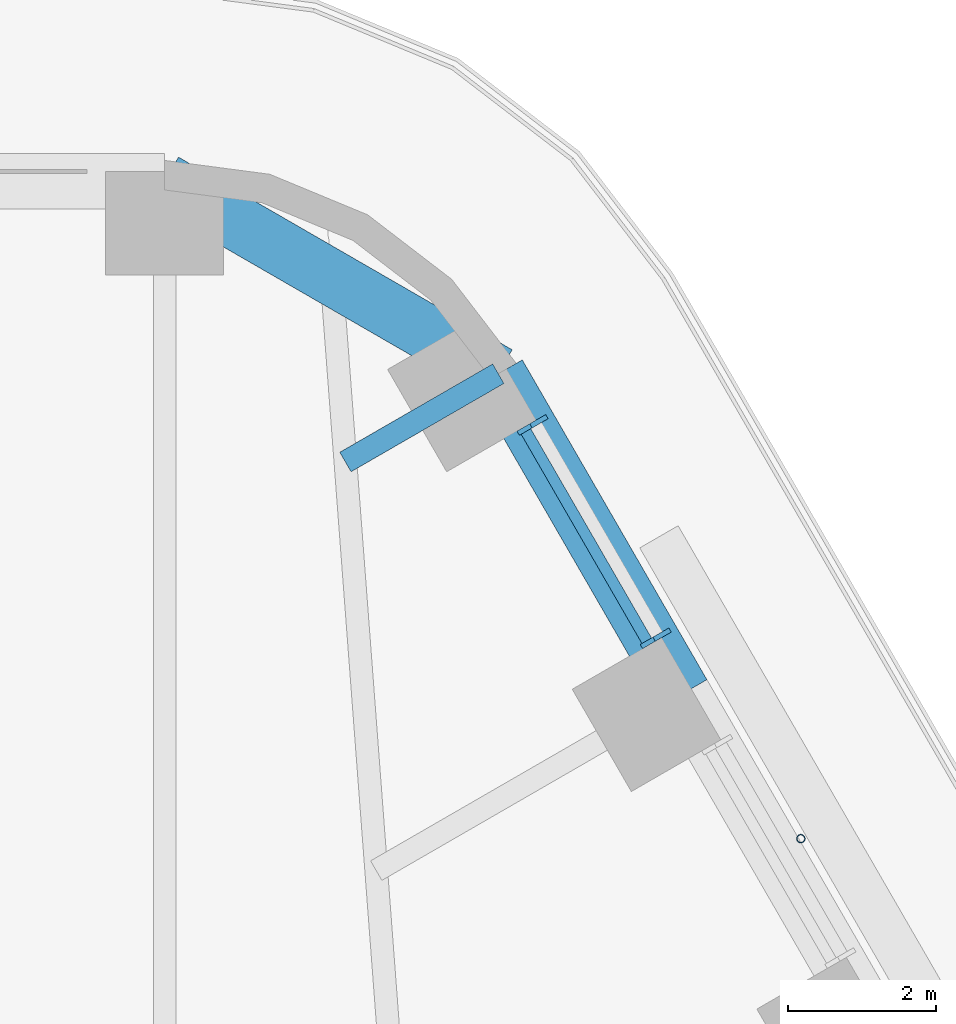
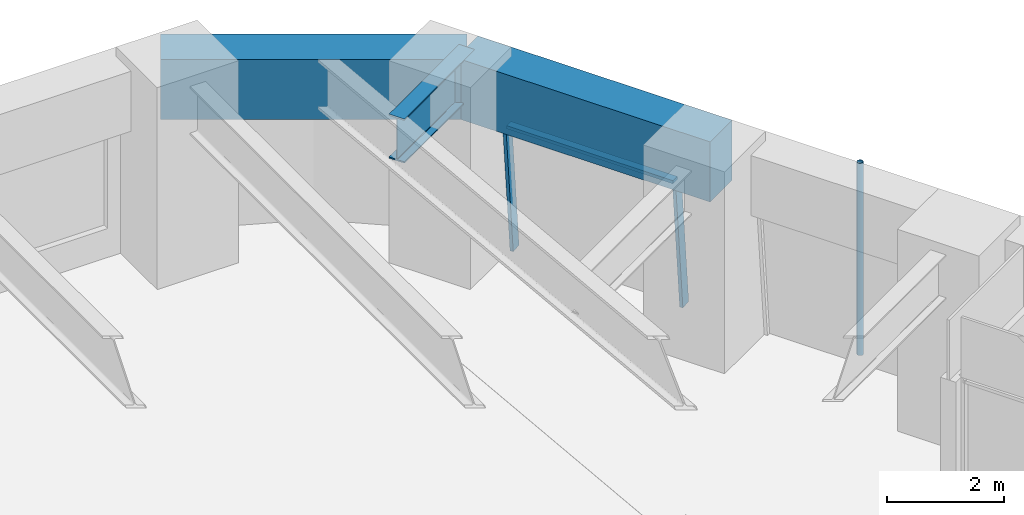
# One storey, part 13 of 24: 4 members, 3 beams, 1 element without a shape of its own.
"""IFC4 building model written with IfcOpenShell, lengths in metres."""

from ifc_helpers import new_model, si_unit, direction, frame, origin, origin_2d, place, context, subcontext, project, spatial, rectangle, hollow_circle, i_section, extrude, material, material_profile, profile_set, type_object, element, aggregate, save


model = new_model("IFC4")

# Units and contexts
model_context = context("Model", 3, precision=1e-05, world=origin(), true_north=direction((0.0, 1.0)))
body_context = subcontext(model_context, "Body", "Model", "MODEL_VIEW")
ifc_project = project(units=[si_unit("LENGTHUNIT", "METRE"), si_unit("AREAUNIT", "SQUARE_METRE"), si_unit("VOLUMEUNIT", "CUBIC_METRE"), si_unit("PLANEANGLEUNIT", "RADIAN"), si_unit("MASSUNIT", "GRAM", prefix="KILO")], contexts=[model_context])

# Site, building, storey
site_placement = place(None, origin())
site = spatial("IfcSite", under=ifc_project, at=site_placement, CompositionType="ELEMENT")
building_placement = place(site_placement, origin())
building = spatial("IfcBuilding", under=site, at=building_placement, Name="Tarfa Lantern Tower", CompositionType="ELEMENT")
storey_placement = place(building_placement, frame((0.0, 0.0, 165.699951171875)))
storey = spatial("IfcBuildingStorey", under=building, at=storey_placement, Name="L37", CompositionType="ELEMENT", Elevation=165.699951171875)

# Curtain wall, members
ifc_material_1 = material(Name="Aluminium framed curtain wall", Category="aluminium")
curtain_wall_type = type_object("IfcCurtainWallType", Name="CW2 CANTED GLAZING MID ZONE 2750", PredefinedType="USERDEFINED", material=ifc_material_1)
curtain_wall_placement = place(storey_placement, origin())
curtain_wall = element("IfcCurtainWall", 1, at=curtain_wall_placement, inside=storey, type_object=curtain_wall_type, Name="CW2 NEB L37", ObjectType="CURTAIN WALL", PredefinedType="USERDEFINED")
ifc_material_2 = material(Name="Aluminium mullion", Category="aluminium")
ifc_material_profile_1 = material_profile(ifc_material_2, rectangle(XDim=0.06494140625, YDim=0.199951171875, at=origin_2d()), Name="AL MULLION 65x200")
ifc_profile_set_1 = profile_set([ifc_material_profile_1], Name="Aluminium mullion")
member_type_1 = type_object("IfcMemberType", Name="CWM1 MULLION 65x200", PredefinedType="MULLION", material=ifc_profile_set_1)
member_1_placement = place(storey_placement, frame((21.773193359375, 25.087646484375, 0.0), z_axis=(-0.078422950161, -0.045267813396, 0.995891894715), x_axis=(0.499919672301, -0.866071776036, 0.0)))
member_1 = element("IfcMember", 2, at=member_1_placement, type_object=member_type_1, Name="CW2 mullion 1", PredefinedType="MULLION", context=body_context, shape_type="SweptSolid", body=[
    extrude(rectangle(XDim=0.06494140625, YDim=0.199951171875, at=origin_2d()), origin(), (0.0, 0.0, 1.0), 2.76123046875),
])
member_2_placement = place(storey_placement, frame((20.10400390625, 27.97900390625, 0.0), z_axis=(-0.078422950161, -0.045267813396, 0.995891894715), x_axis=(0.499919672301, -0.866071776036, 0.0)))
member_2 = element("IfcMember", 3, at=member_2_placement, type_object=member_type_1, Name="CW2 mullion 2", PredefinedType="MULLION", context=body_context, shape_type="SweptSolid", body=[
    extrude(rectangle(XDim=0.06494140625, YDim=0.199951171875, at=origin_2d()), origin(), (0.0, 0.0, 1.0), 2.76123046875),
])
ifc_material_3 = material(Name="Aluminium transom", Category="aluminium")
ifc_material_profile_2 = material_profile(ifc_material_3, rectangle(XDim=0.14990234375, YDim=0.06494140625, at=origin_2d()), Name="AL TRANSOM 150x65")
ifc_profile_set_2 = profile_set([ifc_material_profile_2], Name="Aluminium transom")
member_type_2 = type_object("IfcMemberType", Name="CWT1 TRANSOM 150x65", PredefinedType="USERDEFINED", material=ifc_profile_set_2)
member_3_placement = place(storey_placement, frame((21.54296875, 24.9921875, 2.717529296875), z_axis=(-0.499957005835, 0.866050225054, 0.0), x_axis=(-0.866050225054, -0.499957005835, 0.0)))
member_3 = element("IfcMember", 4, at=member_3_placement, type_object=member_type_2, Name="CW2 transom 1.2", ObjectType="TRANSOM", PredefinedType="USERDEFINED", context=body_context, shape_type="SweptSolid", body=[
    extrude(rectangle(XDim=0.14990234375, YDim=0.06494140625, at=origin_2d()), origin(), (0.0, 0.0, 1.0), 3.273681640625),
])
aggregate(curtain_wall, [member_1, member_2, member_3])

# Beams
ifc_material_4 = material(Name="Concrete C80/95", Category="concrete")
ifc_material_profile_3 = material_profile(ifc_material_4, rectangle(XDim=0.75, YDim=1.25, at=origin_2d()), Name="RC 750x1250")
ifc_profile_set_3 = profile_set([ifc_material_profile_3], Name="Concrete C80/95")
beam_type_1 = type_object("IfcBeamType", Name="EB2 RC 750x1250", PredefinedType="SPANDREL", material=ifc_profile_set_3)
beam_1_placement = place(storey_placement, frame((22.03369140625, 24.276611328125, 3.375), z_axis=(-0.500001197378, 0.866024712477, 0.0), x_axis=(-0.866024712477, -0.500001197378, 0.0)))
element("IfcBeam", 5, at=beam_1_placement, inside=storey, type_object=beam_type_1, Name="Edge beam NE5", PredefinedType="SPANDREL", context=body_context, shape_type="SweptSolid", body=[
    extrude(rectangle(XDim=0.75, YDim=1.25, at=origin_2d()), origin(), (0.0, 0.0, 1.0), 5.00390625),
])
beam_2_placement = place(storey_placement, frame((19.53173828125, 28.610107421875, 3.375), z_axis=(-0.86604150238, 0.499972115377, 0.0), x_axis=(-0.499972115377, -0.86604150238, 0.0)))
element("IfcBeam", 6, at=beam_2_placement, inside=storey, type_object=beam_type_1, Name="Edge beam NE6", PredefinedType="SPANDREL", context=body_context, shape_type="SweptSolid", body=[
    extrude(rectangle(XDim=0.75, YDim=1.25, at=origin_2d()), origin(), (0.0, 0.0, 1.0), 5.219970703125),
])

# Member
ifc_material_5 = material(Name="Steel S355", Category="steel")
ifc_material_profile_4 = material_profile(ifc_material_5, hollow_circle(Radius=0.05712890625, WallThickness=0.00634765625, at=origin_2d()), Name="CHS114.3x6.3")
ifc_profile_set_4 = profile_set([ifc_material_profile_4], Name="Steel S355")
member_type_3 = type_object("IfcMemberType", Name="TR1 GREEN WALL TRELLIS CHS114.3x6.3", PredefinedType="USERDEFINED", material=ifc_profile_set_4)
member_4_placement = place(storey_placement, frame((23.630859375, 22.31005859375, 0.0), z_axis=(0.0, 0.0, 1.0), x_axis=(1.0, 0.0, 0.0)))
element("IfcMember", 7, at=member_4_placement, inside=storey, type_object=member_type_3, Name="Trellis post NE 2", ObjectType="TRELLIS", PredefinedType="USERDEFINED", context=body_context, shape_type="SweptSolid", body=[
    extrude(hollow_circle(Radius=0.05712890625, WallThickness=0.00634765625, at=origin_2d()), origin(), (0.0, 0.0, 1.0), 4.0),
])

# Beam
ifc_material_6 = material(Name="Steel S460M", Category="steel")
ifc_material_profile_5 = material_profile(ifc_material_6, i_section(OverallWidth=0.305419921875, OverallDepth=0.91845703125, WebThickness=0.017333984375, FlangeThickness=0.02783203125, FilletRadius=0.01904296875, at=origin_2d()), Name="UB914x305x253")
ifc_profile_set_5 = profile_set([ifc_material_profile_5], Name="Steel S460M")
beam_type_2 = type_object("IfcBeamType", Name="UB914x305x253", PredefinedType="BEAM", material=ifc_profile_set_5)
beam_3_placement = place(storey_placement, frame((19.53173828125, 28.610107421875, 3.540771484375), z_axis=(-0.865998640954, -0.500046351717, 0.0), x_axis=(0.500046351717, -0.865998640954, 0.0)))
element("IfcBeam", 8, at=beam_3_placement, inside=storey, type_object=beam_type_2, Name="Floor beam NE6", PredefinedType="BEAM", context=body_context, shape_type="SweptSolid", body=[
    extrude(i_section(OverallWidth=0.305419921875, OverallDepth=0.91845703125, WebThickness=0.017333984375, FlangeThickness=0.02783203125, FilletRadius=0.01904296875, at=origin_2d()), origin(), (0.0, 0.0, 1.0), 2.392333984375),
])

save(model, "model.ifc")
